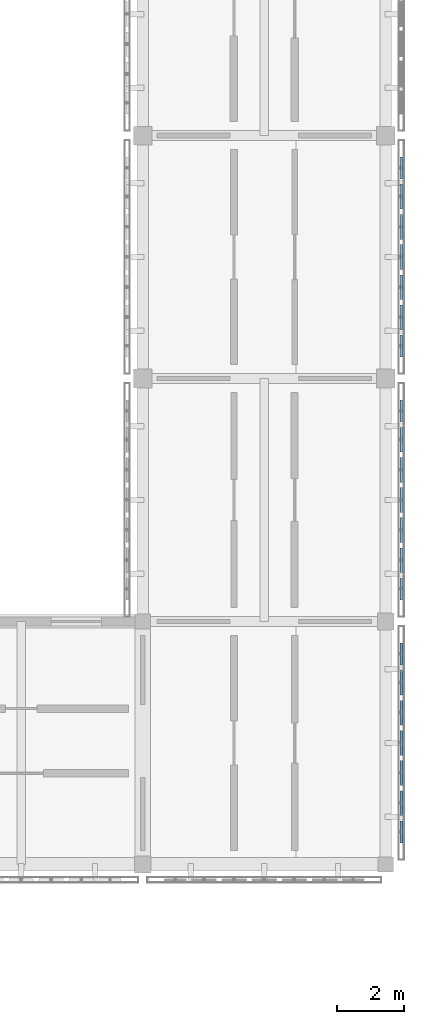
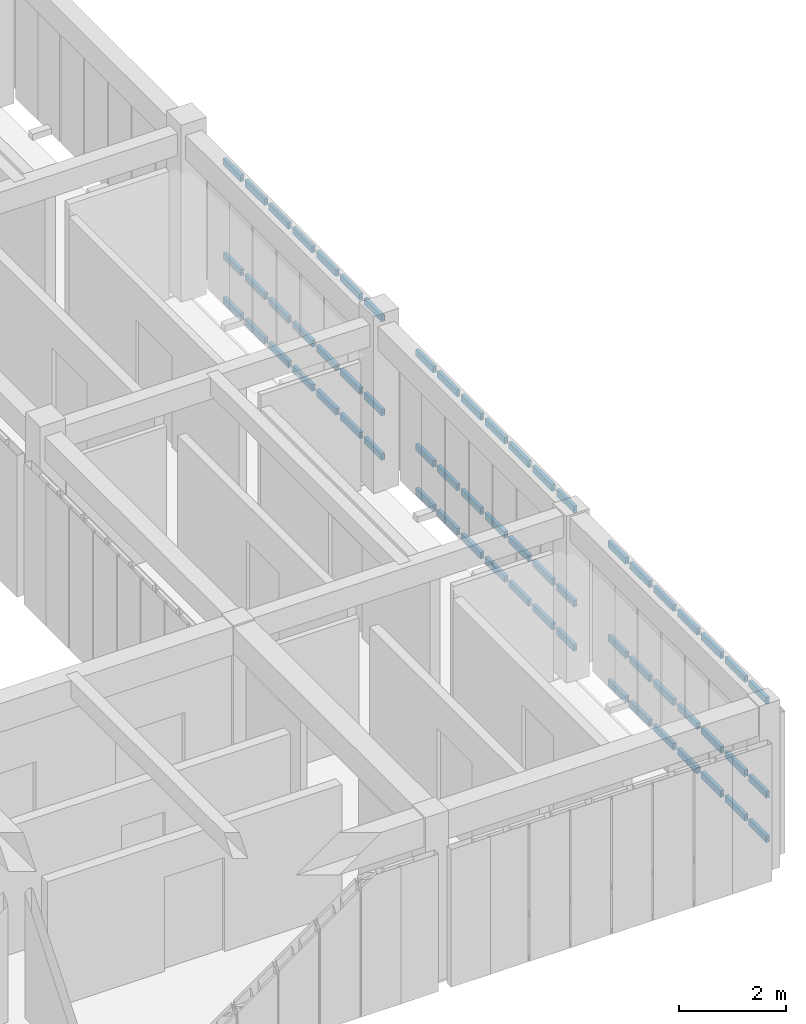
# One storey, part 28 of 67: 63 members, 3 elements without a shape of their own.
"""IFC4 building model written with IfcOpenShell, lengths in metres."""

from ifc_helpers import new_model, si_unit, direction, frame, origin, origin_2d, place, context, subcontext, project, spatial, hollow_rectangle, extrude, material, material_profile, profile_set, type_object, element, aggregate, save


model = new_model("IFC4")

# Units and contexts
model_context = context("Model", 3, precision=1e-05, world=origin(), true_north=direction((0.0, 1.0)))
body_context = subcontext(model_context, "Body", "Model", "MODEL_VIEW")
ifc_project = project(units=[si_unit("LENGTHUNIT", "METRE"), si_unit("AREAUNIT", "SQUARE_METRE"), si_unit("VOLUMEUNIT", "CUBIC_METRE"), si_unit("PLANEANGLEUNIT", "RADIAN"), si_unit("MASSUNIT", "GRAM", prefix="KILO")], contexts=[model_context])

# Site, building, storey
site_placement = place(None, origin())
site = spatial("IfcSite", under=ifc_project, at=site_placement, CompositionType="ELEMENT")
building_placement = place(site_placement, origin())
building = spatial("IfcBuilding", under=site, at=building_placement, Name="Aldebral Square Health Centre", CompositionType="ELEMENT")
storey_placement = place(building_placement, frame((0.0, 0.0, 13.5)))
storey = spatial("IfcBuildingStorey", under=building, at=storey_placement, Name="L03", CompositionType="ELEMENT", Elevation=13.5)

# Curtain wall, members
ifc_material_1 = material(Name="Aluminium and low-E solar glass", Category="aluminium")
curtain_wall_type = type_object("IfcCurtainWallType", Name="CW-FIN-SYS", PredefinedType="USERDEFINED", material=ifc_material_1)
curtain_wall_1_placement = place(storey_placement, origin())
curtain_wall_1 = element("IfcCurtainWall", 1, at=curtain_wall_1_placement, inside=storey, type_object=curtain_wall_type, Name="L03 V5 finned curtain wall L03-V5-22-08-E", ObjectType="SOLAR_CURTAIN_WALL", PredefinedType="USERDEFINED")
ifc_material_2 = material(Name="Anodised aluminium transom", Category="aluminium")
ifc_material_profile = material_profile(ifc_material_2, hollow_rectangle(XDim=0.074951171875, YDim=0.14990234375, WallThickness=0.00390625, at=origin_2d()), Name="CWT 75x150x4")
ifc_profile_set = profile_set([ifc_material_profile], Name="Anodised aluminium transom")
member_type = type_object("IfcMemberType", Name="CWT-STD", PredefinedType="USERDEFINED", material=ifc_profile_set)
member_1_placement = place(storey_placement, frame((166.06005859375, 58.239990234375, 0.03759765625), z_axis=(0.0, 1.0, 0.0), x_axis=(-1.0, 0.0, 0.0)))
member_1 = element("IfcMember", 2, at=member_1_placement, type_object=member_type, Name="CW1 transom 1.1", ObjectType="TRANSOM", PredefinedType="USERDEFINED", context=body_context, shape_type="SweptSolid", body=[
    extrude(hollow_rectangle(XDim=0.074951171875, YDim=0.14990234375, WallThickness=0.00390625, at=origin_2d()), origin(), (0.0, 0.0, 1.0), 0.6513671875),
])
member_2_placement = place(storey_placement, frame((166.06005859375, 58.239990234375, 1.050048828125), z_axis=(0.0, 1.0, 0.0), x_axis=(-1.0, 0.0, 0.0)))
member_2 = element("IfcMember", 3, at=member_2_placement, type_object=member_type, Name="CW1 transom 1.2", ObjectType="TRANSOM", PredefinedType="USERDEFINED", context=body_context, shape_type="SweptSolid", body=[
    extrude(hollow_rectangle(XDim=0.074951171875, YDim=0.14990234375, WallThickness=0.00390625, at=origin_2d()), origin(), (0.0, 0.0, 1.0), 0.6513671875),
])
member_3_placement = place(storey_placement, frame((166.06005859375, 58.239990234375, 3.202392578125), z_axis=(0.0, 1.0, 0.0), x_axis=(-1.0, 0.0, 0.0)))
member_3 = element("IfcMember", 4, at=member_3_placement, type_object=member_type, Name="CW1 transom 1.3", ObjectType="TRANSOM", PredefinedType="USERDEFINED", context=body_context, shape_type="SweptSolid", body=[
    extrude(hollow_rectangle(XDim=0.074951171875, YDim=0.14990234375, WallThickness=0.00390625, at=origin_2d()), origin(), (0.0, 0.0, 1.0), 0.6513671875),
])
member_4_placement = place(storey_placement, frame((166.06005859375, 59.051513671875, 0.03759765625), z_axis=(0.0, 1.0, 0.0), x_axis=(-1.0, 0.0, 0.0)))
member_4 = element("IfcMember", 5, at=member_4_placement, type_object=member_type, Name="CW1 transom 2.1", ObjectType="TRANSOM", PredefinedType="USERDEFINED", context=body_context, shape_type="SweptSolid", body=[
    extrude(hollow_rectangle(XDim=0.074951171875, YDim=0.14990234375, WallThickness=0.00390625, at=origin_2d()), origin(), (0.0, 0.0, 1.0), 0.7314453125),
])
member_5_placement = place(storey_placement, frame((166.06005859375, 59.051513671875, 1.050048828125), z_axis=(0.0, 1.0, 0.0), x_axis=(-1.0, 0.0, 0.0)))
member_5 = element("IfcMember", 6, at=member_5_placement, type_object=member_type, Name="CW1 transom 2.2", ObjectType="TRANSOM", PredefinedType="USERDEFINED", context=body_context, shape_type="SweptSolid", body=[
    extrude(hollow_rectangle(XDim=0.074951171875, YDim=0.14990234375, WallThickness=0.00390625, at=origin_2d()), origin(), (0.0, 0.0, 1.0), 0.7314453125),
])
member_6_placement = place(storey_placement, frame((166.06005859375, 59.051513671875, 3.202392578125), z_axis=(0.0, 1.0, 0.0), x_axis=(-1.0, 0.0, 0.0)))
member_6 = element("IfcMember", 7, at=member_6_placement, type_object=member_type, Name="CW1 transom 2.3", ObjectType="TRANSOM", PredefinedType="USERDEFINED", context=body_context, shape_type="SweptSolid", body=[
    extrude(hollow_rectangle(XDim=0.074951171875, YDim=0.14990234375, WallThickness=0.00390625, at=origin_2d()), origin(), (0.0, 0.0, 1.0), 0.7314453125),
])
member_7_placement = place(storey_placement, frame((166.06005859375, 59.94287109375, 0.03759765625), z_axis=(0.0, 1.0, 0.0), x_axis=(-1.0, 0.0, 0.0)))
member_7 = element("IfcMember", 8, at=member_7_placement, type_object=member_type, Name="CW1 transom 3.1", ObjectType="TRANSOM", PredefinedType="USERDEFINED", context=body_context, shape_type="SweptSolid", body=[
    extrude(hollow_rectangle(XDim=0.074951171875, YDim=0.14990234375, WallThickness=0.00390625, at=origin_2d()), origin(), (0.0, 0.0, 1.0), 0.7314453125),
])
member_8_placement = place(storey_placement, frame((166.06005859375, 59.94287109375, 1.050048828125), z_axis=(0.0, 1.0, 0.0), x_axis=(-1.0, 0.0, 0.0)))
member_8 = element("IfcMember", 9, at=member_8_placement, type_object=member_type, Name="CW1 transom 3.2", ObjectType="TRANSOM", PredefinedType="USERDEFINED", context=body_context, shape_type="SweptSolid", body=[
    extrude(hollow_rectangle(XDim=0.074951171875, YDim=0.14990234375, WallThickness=0.00390625, at=origin_2d()), origin(), (0.0, 0.0, 1.0), 0.7314453125),
])
member_9_placement = place(storey_placement, frame((166.06005859375, 59.94287109375, 3.202392578125), z_axis=(0.0, 1.0, 0.0), x_axis=(-1.0, 0.0, 0.0)))
member_9 = element("IfcMember", 10, at=member_9_placement, type_object=member_type, Name="CW1 transom 3.3", ObjectType="TRANSOM", PredefinedType="USERDEFINED", context=body_context, shape_type="SweptSolid", body=[
    extrude(hollow_rectangle(XDim=0.074951171875, YDim=0.14990234375, WallThickness=0.00390625, at=origin_2d()), origin(), (0.0, 0.0, 1.0), 0.7314453125),
])
member_10_placement = place(storey_placement, frame((166.06005859375, 60.834228515625, 0.03759765625), z_axis=(0.0, 1.0, 0.0), x_axis=(-1.0, 0.0, 0.0)))
member_10 = element("IfcMember", 11, at=member_10_placement, type_object=member_type, Name="CW1 transom 4.1", ObjectType="TRANSOM", PredefinedType="USERDEFINED", context=body_context, shape_type="SweptSolid", body=[
    extrude(hollow_rectangle(XDim=0.074951171875, YDim=0.14990234375, WallThickness=0.00390625, at=origin_2d()), origin(), (0.0, 0.0, 1.0), 0.7314453125),
])
member_11_placement = place(storey_placement, frame((166.06005859375, 60.834228515625, 1.050048828125), z_axis=(0.0, 1.0, 0.0), x_axis=(-1.0, 0.0, 0.0)))
member_11 = element("IfcMember", 12, at=member_11_placement, type_object=member_type, Name="CW1 transom 4.2", ObjectType="TRANSOM", PredefinedType="USERDEFINED", context=body_context, shape_type="SweptSolid", body=[
    extrude(hollow_rectangle(XDim=0.074951171875, YDim=0.14990234375, WallThickness=0.00390625, at=origin_2d()), origin(), (0.0, 0.0, 1.0), 0.7314453125),
])
member_12_placement = place(storey_placement, frame((166.06005859375, 60.834228515625, 3.202392578125), z_axis=(0.0, 1.0, 0.0), x_axis=(-1.0, 0.0, 0.0)))
member_12 = element("IfcMember", 13, at=member_12_placement, type_object=member_type, Name="CW1 transom 4.3", ObjectType="TRANSOM", PredefinedType="USERDEFINED", context=body_context, shape_type="SweptSolid", body=[
    extrude(hollow_rectangle(XDim=0.074951171875, YDim=0.14990234375, WallThickness=0.00390625, at=origin_2d()), origin(), (0.0, 0.0, 1.0), 0.7314453125),
])
member_13_placement = place(storey_placement, frame((166.06005859375, 61.725830078125, 0.03759765625), z_axis=(0.0, 1.0, 0.0), x_axis=(-1.0, 0.0, 0.0)))
member_13 = element("IfcMember", 14, at=member_13_placement, type_object=member_type, Name="CW1 transom 5.1", ObjectType="TRANSOM", PredefinedType="USERDEFINED", context=body_context, shape_type="SweptSolid", body=[
    extrude(hollow_rectangle(XDim=0.074951171875, YDim=0.14990234375, WallThickness=0.00390625, at=origin_2d()), origin(), (0.0, 0.0, 1.0), 0.731201171875),
])
member_14_placement = place(storey_placement, frame((166.06005859375, 61.725830078125, 1.050048828125), z_axis=(0.0, 1.0, 0.0), x_axis=(-1.0, 0.0, 0.0)))
member_14 = element("IfcMember", 15, at=member_14_placement, type_object=member_type, Name="CW1 transom 5.2", ObjectType="TRANSOM", PredefinedType="USERDEFINED", context=body_context, shape_type="SweptSolid", body=[
    extrude(hollow_rectangle(XDim=0.074951171875, YDim=0.14990234375, WallThickness=0.00390625, at=origin_2d()), origin(), (0.0, 0.0, 1.0), 0.731201171875),
])
member_15_placement = place(storey_placement, frame((166.06005859375, 61.725830078125, 3.202392578125), z_axis=(0.0, 1.0, 0.0), x_axis=(-1.0, 0.0, 0.0)))
member_15 = element("IfcMember", 16, at=member_15_placement, type_object=member_type, Name="CW1 transom 5.3", ObjectType="TRANSOM", PredefinedType="USERDEFINED", context=body_context, shape_type="SweptSolid", body=[
    extrude(hollow_rectangle(XDim=0.074951171875, YDim=0.14990234375, WallThickness=0.00390625, at=origin_2d()), origin(), (0.0, 0.0, 1.0), 0.731201171875),
])
member_16_placement = place(storey_placement, frame((166.06005859375, 62.6171875, 0.03759765625), z_axis=(0.0, 1.0, 0.0), x_axis=(-1.0, 0.0, 0.0)))
member_16 = element("IfcMember", 17, at=member_16_placement, type_object=member_type, Name="CW1 transom 6.1", ObjectType="TRANSOM", PredefinedType="USERDEFINED", context=body_context, shape_type="SweptSolid", body=[
    extrude(hollow_rectangle(XDim=0.074951171875, YDim=0.14990234375, WallThickness=0.00390625, at=origin_2d()), origin(), (0.0, 0.0, 1.0), 0.7314453125),
])
member_17_placement = place(storey_placement, frame((166.06005859375, 62.6171875, 1.050048828125), z_axis=(0.0, 1.0, 0.0), x_axis=(-1.0, 0.0, 0.0)))
member_17 = element("IfcMember", 18, at=member_17_placement, type_object=member_type, Name="CW1 transom 6.2", ObjectType="TRANSOM", PredefinedType="USERDEFINED", context=body_context, shape_type="SweptSolid", body=[
    extrude(hollow_rectangle(XDim=0.074951171875, YDim=0.14990234375, WallThickness=0.00390625, at=origin_2d()), origin(), (0.0, 0.0, 1.0), 0.7314453125),
])
member_18_placement = place(storey_placement, frame((166.06005859375, 62.6171875, 3.202392578125), z_axis=(0.0, 1.0, 0.0), x_axis=(-1.0, 0.0, 0.0)))
member_18 = element("IfcMember", 19, at=member_18_placement, type_object=member_type, Name="CW1 transom 6.3", ObjectType="TRANSOM", PredefinedType="USERDEFINED", context=body_context, shape_type="SweptSolid", body=[
    extrude(hollow_rectangle(XDim=0.074951171875, YDim=0.14990234375, WallThickness=0.00390625, at=origin_2d()), origin(), (0.0, 0.0, 1.0), 0.7314453125),
])
member_19_placement = place(storey_placement, frame((166.06005859375, 63.508544921875, 0.03759765625), z_axis=(0.0, 1.0, 0.0), x_axis=(-1.0, 0.0, 0.0)))
member_19 = element("IfcMember", 20, at=member_19_placement, type_object=member_type, Name="CW1 transom 7.1", ObjectType="TRANSOM", PredefinedType="USERDEFINED", context=body_context, shape_type="SweptSolid", body=[
    extrude(hollow_rectangle(XDim=0.074951171875, YDim=0.14990234375, WallThickness=0.00390625, at=origin_2d()), origin(), (0.0, 0.0, 1.0), 0.6513671875),
])
member_20_placement = place(storey_placement, frame((166.06005859375, 63.508544921875, 1.050048828125), z_axis=(0.0, 1.0, 0.0), x_axis=(-1.0, 0.0, 0.0)))
member_20 = element("IfcMember", 21, at=member_20_placement, type_object=member_type, Name="CW1 transom 7.2", ObjectType="TRANSOM", PredefinedType="USERDEFINED", context=body_context, shape_type="SweptSolid", body=[
    extrude(hollow_rectangle(XDim=0.074951171875, YDim=0.14990234375, WallThickness=0.00390625, at=origin_2d()), origin(), (0.0, 0.0, 1.0), 0.6513671875),
])
member_21_placement = place(storey_placement, frame((166.06005859375, 63.508544921875, 3.202392578125), z_axis=(0.0, 1.0, 0.0), x_axis=(-1.0, 0.0, 0.0)))
member_21 = element("IfcMember", 22, at=member_21_placement, type_object=member_type, Name="CW1 transom 7.3", ObjectType="TRANSOM", PredefinedType="USERDEFINED", context=body_context, shape_type="SweptSolid", body=[
    extrude(hollow_rectangle(XDim=0.074951171875, YDim=0.14990234375, WallThickness=0.00390625, at=origin_2d()), origin(), (0.0, 0.0, 1.0), 0.6513671875),
])
aggregate(curtain_wall_1, [member_1, member_2, member_3, member_4, member_5, member_6, member_7, member_8, member_9, member_10, member_11, member_12, member_13, member_14, member_15, member_16, member_17, member_18, member_19, member_20, member_21])

curtain_wall_2_placement = place(storey_placement, origin())
curtain_wall_2 = element("IfcCurtainWall", 23, at=curtain_wall_2_placement, inside=storey, type_object=curtain_wall_type, Name="L03 V5 finned curtain wall L03-V5-22-09-E", ObjectType="SOLAR_CURTAIN_WALL", PredefinedType="USERDEFINED")
member_22_placement = place(storey_placement, frame((166.06005859375, 65.43994140625, 0.03759765625), z_axis=(0.0, 1.0, 0.0), x_axis=(-1.0, 0.0, 0.0)))
member_22 = element("IfcMember", 24, at=member_22_placement, type_object=member_type, Name="CW1 transom 1.1", ObjectType="TRANSOM", PredefinedType="USERDEFINED", context=body_context, shape_type="SweptSolid", body=[
    extrude(hollow_rectangle(XDim=0.074951171875, YDim=0.14990234375, WallThickness=0.00390625, at=origin_2d()), origin(), (0.0, 0.0, 1.0), 0.6513671875),
])
member_23_placement = place(storey_placement, frame((166.06005859375, 65.43994140625, 1.050048828125), z_axis=(0.0, 1.0, 0.0), x_axis=(-1.0, 0.0, 0.0)))
member_23 = element("IfcMember", 25, at=member_23_placement, type_object=member_type, Name="CW1 transom 1.2", ObjectType="TRANSOM", PredefinedType="USERDEFINED", context=body_context, shape_type="SweptSolid", body=[
    extrude(hollow_rectangle(XDim=0.074951171875, YDim=0.14990234375, WallThickness=0.00390625, at=origin_2d()), origin(), (0.0, 0.0, 1.0), 0.6513671875),
])
member_24_placement = place(storey_placement, frame((166.06005859375, 65.43994140625, 3.202392578125), z_axis=(0.0, 1.0, 0.0), x_axis=(-1.0, 0.0, 0.0)))
member_24 = element("IfcMember", 26, at=member_24_placement, type_object=member_type, Name="CW1 transom 1.3", ObjectType="TRANSOM", PredefinedType="USERDEFINED", context=body_context, shape_type="SweptSolid", body=[
    extrude(hollow_rectangle(XDim=0.074951171875, YDim=0.14990234375, WallThickness=0.00390625, at=origin_2d()), origin(), (0.0, 0.0, 1.0), 0.6513671875),
])
member_25_placement = place(storey_placement, frame((166.06005859375, 66.25146484375, 0.03759765625), z_axis=(0.0, 1.0, 0.0), x_axis=(-1.0, 0.0, 0.0)))
member_25 = element("IfcMember", 27, at=member_25_placement, type_object=member_type, Name="CW1 transom 2.1", ObjectType="TRANSOM", PredefinedType="USERDEFINED", context=body_context, shape_type="SweptSolid", body=[
    extrude(hollow_rectangle(XDim=0.074951171875, YDim=0.14990234375, WallThickness=0.00390625, at=origin_2d()), origin(), (0.0, 0.0, 1.0), 0.7314453125),
])
member_26_placement = place(storey_placement, frame((166.06005859375, 66.25146484375, 1.050048828125), z_axis=(0.0, 1.0, 0.0), x_axis=(-1.0, 0.0, 0.0)))
member_26 = element("IfcMember", 28, at=member_26_placement, type_object=member_type, Name="CW1 transom 2.2", ObjectType="TRANSOM", PredefinedType="USERDEFINED", context=body_context, shape_type="SweptSolid", body=[
    extrude(hollow_rectangle(XDim=0.074951171875, YDim=0.14990234375, WallThickness=0.00390625, at=origin_2d()), origin(), (0.0, 0.0, 1.0), 0.7314453125),
])
member_27_placement = place(storey_placement, frame((166.06005859375, 66.25146484375, 3.202392578125), z_axis=(0.0, 1.0, 0.0), x_axis=(-1.0, 0.0, 0.0)))
member_27 = element("IfcMember", 29, at=member_27_placement, type_object=member_type, Name="CW1 transom 2.3", ObjectType="TRANSOM", PredefinedType="USERDEFINED", context=body_context, shape_type="SweptSolid", body=[
    extrude(hollow_rectangle(XDim=0.074951171875, YDim=0.14990234375, WallThickness=0.00390625, at=origin_2d()), origin(), (0.0, 0.0, 1.0), 0.7314453125),
])
member_28_placement = place(storey_placement, frame((166.06005859375, 67.142822265625, 0.03759765625), z_axis=(0.0, 1.0, 0.0), x_axis=(-1.0, 0.0, 0.0)))
member_28 = element("IfcMember", 30, at=member_28_placement, type_object=member_type, Name="CW1 transom 3.1", ObjectType="TRANSOM", PredefinedType="USERDEFINED", context=body_context, shape_type="SweptSolid", body=[
    extrude(hollow_rectangle(XDim=0.074951171875, YDim=0.14990234375, WallThickness=0.00390625, at=origin_2d()), origin(), (0.0, 0.0, 1.0), 0.7314453125),
])
member_29_placement = place(storey_placement, frame((166.06005859375, 67.142822265625, 1.050048828125), z_axis=(0.0, 1.0, 0.0), x_axis=(-1.0, 0.0, 0.0)))
member_29 = element("IfcMember", 31, at=member_29_placement, type_object=member_type, Name="CW1 transom 3.2", ObjectType="TRANSOM", PredefinedType="USERDEFINED", context=body_context, shape_type="SweptSolid", body=[
    extrude(hollow_rectangle(XDim=0.074951171875, YDim=0.14990234375, WallThickness=0.00390625, at=origin_2d()), origin(), (0.0, 0.0, 1.0), 0.7314453125),
])
member_30_placement = place(storey_placement, frame((166.06005859375, 67.142822265625, 3.202392578125), z_axis=(0.0, 1.0, 0.0), x_axis=(-1.0, 0.0, 0.0)))
member_30 = element("IfcMember", 32, at=member_30_placement, type_object=member_type, Name="CW1 transom 3.3", ObjectType="TRANSOM", PredefinedType="USERDEFINED", context=body_context, shape_type="SweptSolid", body=[
    extrude(hollow_rectangle(XDim=0.074951171875, YDim=0.14990234375, WallThickness=0.00390625, at=origin_2d()), origin(), (0.0, 0.0, 1.0), 0.7314453125),
])
member_31_placement = place(storey_placement, frame((166.06005859375, 68.0341796875, 0.03759765625), z_axis=(0.0, 1.0, 0.0), x_axis=(-1.0, 0.0, 0.0)))
member_31 = element("IfcMember", 33, at=member_31_placement, type_object=member_type, Name="CW1 transom 4.1", ObjectType="TRANSOM", PredefinedType="USERDEFINED", context=body_context, shape_type="SweptSolid", body=[
    extrude(hollow_rectangle(XDim=0.074951171875, YDim=0.14990234375, WallThickness=0.00390625, at=origin_2d()), origin(), (0.0, 0.0, 1.0), 0.7314453125),
])
member_32_placement = place(storey_placement, frame((166.06005859375, 68.0341796875, 1.050048828125), z_axis=(0.0, 1.0, 0.0), x_axis=(-1.0, 0.0, 0.0)))
member_32 = element("IfcMember", 34, at=member_32_placement, type_object=member_type, Name="CW1 transom 4.2", ObjectType="TRANSOM", PredefinedType="USERDEFINED", context=body_context, shape_type="SweptSolid", body=[
    extrude(hollow_rectangle(XDim=0.074951171875, YDim=0.14990234375, WallThickness=0.00390625, at=origin_2d()), origin(), (0.0, 0.0, 1.0), 0.7314453125),
])
member_33_placement = place(storey_placement, frame((166.06005859375, 68.0341796875, 3.202392578125), z_axis=(0.0, 1.0, 0.0), x_axis=(-1.0, 0.0, 0.0)))
member_33 = element("IfcMember", 35, at=member_33_placement, type_object=member_type, Name="CW1 transom 4.3", ObjectType="TRANSOM", PredefinedType="USERDEFINED", context=body_context, shape_type="SweptSolid", body=[
    extrude(hollow_rectangle(XDim=0.074951171875, YDim=0.14990234375, WallThickness=0.00390625, at=origin_2d()), origin(), (0.0, 0.0, 1.0), 0.7314453125),
])
member_34_placement = place(storey_placement, frame((166.06005859375, 68.92578125, 0.03759765625), z_axis=(0.0, 1.0, 0.0), x_axis=(-1.0, 0.0, 0.0)))
member_34 = element("IfcMember", 36, at=member_34_placement, type_object=member_type, Name="CW1 transom 5.1", ObjectType="TRANSOM", PredefinedType="USERDEFINED", context=body_context, shape_type="SweptSolid", body=[
    extrude(hollow_rectangle(XDim=0.074951171875, YDim=0.14990234375, WallThickness=0.00390625, at=origin_2d()), origin(), (0.0, 0.0, 1.0), 0.7314453125),
])
member_35_placement = place(storey_placement, frame((166.06005859375, 68.92578125, 1.050048828125), z_axis=(0.0, 1.0, 0.0), x_axis=(-1.0, 0.0, 0.0)))
member_35 = element("IfcMember", 37, at=member_35_placement, type_object=member_type, Name="CW1 transom 5.2", ObjectType="TRANSOM", PredefinedType="USERDEFINED", context=body_context, shape_type="SweptSolid", body=[
    extrude(hollow_rectangle(XDim=0.074951171875, YDim=0.14990234375, WallThickness=0.00390625, at=origin_2d()), origin(), (0.0, 0.0, 1.0), 0.7314453125),
])
member_36_placement = place(storey_placement, frame((166.06005859375, 68.92578125, 3.202392578125), z_axis=(0.0, 1.0, 0.0), x_axis=(-1.0, 0.0, 0.0)))
member_36 = element("IfcMember", 38, at=member_36_placement, type_object=member_type, Name="CW1 transom 5.3", ObjectType="TRANSOM", PredefinedType="USERDEFINED", context=body_context, shape_type="SweptSolid", body=[
    extrude(hollow_rectangle(XDim=0.074951171875, YDim=0.14990234375, WallThickness=0.00390625, at=origin_2d()), origin(), (0.0, 0.0, 1.0), 0.7314453125),
])
member_37_placement = place(storey_placement, frame((166.06005859375, 69.817138671875, 0.03759765625), z_axis=(0.0, 1.0, 0.0), x_axis=(-1.0, 0.0, 0.0)))
member_37 = element("IfcMember", 39, at=member_37_placement, type_object=member_type, Name="CW1 transom 6.1", ObjectType="TRANSOM", PredefinedType="USERDEFINED", context=body_context, shape_type="SweptSolid", body=[
    extrude(hollow_rectangle(XDim=0.074951171875, YDim=0.14990234375, WallThickness=0.00390625, at=origin_2d()), origin(), (0.0, 0.0, 1.0), 0.7314453125),
])
member_38_placement = place(storey_placement, frame((166.06005859375, 69.817138671875, 1.050048828125), z_axis=(0.0, 1.0, 0.0), x_axis=(-1.0, 0.0, 0.0)))
member_38 = element("IfcMember", 40, at=member_38_placement, type_object=member_type, Name="CW1 transom 6.2", ObjectType="TRANSOM", PredefinedType="USERDEFINED", context=body_context, shape_type="SweptSolid", body=[
    extrude(hollow_rectangle(XDim=0.074951171875, YDim=0.14990234375, WallThickness=0.00390625, at=origin_2d()), origin(), (0.0, 0.0, 1.0), 0.7314453125),
])
member_39_placement = place(storey_placement, frame((166.06005859375, 69.817138671875, 3.202392578125), z_axis=(0.0, 1.0, 0.0), x_axis=(-1.0, 0.0, 0.0)))
member_39 = element("IfcMember", 41, at=member_39_placement, type_object=member_type, Name="CW1 transom 6.3", ObjectType="TRANSOM", PredefinedType="USERDEFINED", context=body_context, shape_type="SweptSolid", body=[
    extrude(hollow_rectangle(XDim=0.074951171875, YDim=0.14990234375, WallThickness=0.00390625, at=origin_2d()), origin(), (0.0, 0.0, 1.0), 0.7314453125),
])
member_40_placement = place(storey_placement, frame((166.06005859375, 70.70849609375, 0.03759765625), z_axis=(0.0, 1.0, 0.0), x_axis=(-1.0, 0.0, 0.0)))
member_40 = element("IfcMember", 42, at=member_40_placement, type_object=member_type, Name="CW1 transom 7.1", ObjectType="TRANSOM", PredefinedType="USERDEFINED", context=body_context, shape_type="SweptSolid", body=[
    extrude(hollow_rectangle(XDim=0.074951171875, YDim=0.14990234375, WallThickness=0.00390625, at=origin_2d()), origin(), (0.0, 0.0, 1.0), 0.651611328125),
])
member_41_placement = place(storey_placement, frame((166.06005859375, 70.70849609375, 1.050048828125), z_axis=(0.0, 1.0, 0.0), x_axis=(-1.0, 0.0, 0.0)))
member_41 = element("IfcMember", 43, at=member_41_placement, type_object=member_type, Name="CW1 transom 7.2", ObjectType="TRANSOM", PredefinedType="USERDEFINED", context=body_context, shape_type="SweptSolid", body=[
    extrude(hollow_rectangle(XDim=0.074951171875, YDim=0.14990234375, WallThickness=0.00390625, at=origin_2d()), origin(), (0.0, 0.0, 1.0), 0.651611328125),
])
member_42_placement = place(storey_placement, frame((166.06005859375, 70.70849609375, 3.202392578125), z_axis=(0.0, 1.0, 0.0), x_axis=(-1.0, 0.0, 0.0)))
member_42 = element("IfcMember", 44, at=member_42_placement, type_object=member_type, Name="CW1 transom 7.3", ObjectType="TRANSOM", PredefinedType="USERDEFINED", context=body_context, shape_type="SweptSolid", body=[
    extrude(hollow_rectangle(XDim=0.074951171875, YDim=0.14990234375, WallThickness=0.00390625, at=origin_2d()), origin(), (0.0, 0.0, 1.0), 0.651611328125),
])
aggregate(curtain_wall_2, [member_22, member_23, member_24, member_25, member_26, member_27, member_28, member_29, member_30, member_31, member_32, member_33, member_34, member_35, member_36, member_37, member_38, member_39, member_40, member_41, member_42])

curtain_wall_3_placement = place(storey_placement, origin())
curtain_wall_3 = element("IfcCurtainWall", 45, at=curtain_wall_3_placement, inside=storey, type_object=curtain_wall_type, Name="L03 V5 finned curtain wall L03-V5-22-10-E", ObjectType="SOLAR_CURTAIN_WALL", PredefinedType="USERDEFINED")
member_43_placement = place(storey_placement, frame((166.06005859375, 72.639892578125, 0.03759765625), z_axis=(0.0, 1.0, 0.0), x_axis=(-1.0, 0.0, 0.0)))
member_43 = element("IfcMember", 46, at=member_43_placement, type_object=member_type, Name="CW1 transom 1.1", ObjectType="TRANSOM", PredefinedType="USERDEFINED", context=body_context, shape_type="SweptSolid", body=[
    extrude(hollow_rectangle(XDim=0.074951171875, YDim=0.14990234375, WallThickness=0.00390625, at=origin_2d()), origin(), (0.0, 0.0, 1.0), 0.651611328125),
])
member_44_placement = place(storey_placement, frame((166.06005859375, 72.639892578125, 1.050048828125), z_axis=(0.0, 1.0, 0.0), x_axis=(-1.0, 0.0, 0.0)))
member_44 = element("IfcMember", 47, at=member_44_placement, type_object=member_type, Name="CW1 transom 1.2", ObjectType="TRANSOM", PredefinedType="USERDEFINED", context=body_context, shape_type="SweptSolid", body=[
    extrude(hollow_rectangle(XDim=0.074951171875, YDim=0.14990234375, WallThickness=0.00390625, at=origin_2d()), origin(), (0.0, 0.0, 1.0), 0.651611328125),
])
member_45_placement = place(storey_placement, frame((166.06005859375, 72.639892578125, 3.202392578125), z_axis=(0.0, 1.0, 0.0), x_axis=(-1.0, 0.0, 0.0)))
member_45 = element("IfcMember", 48, at=member_45_placement, type_object=member_type, Name="CW1 transom 1.3", ObjectType="TRANSOM", PredefinedType="USERDEFINED", context=body_context, shape_type="SweptSolid", body=[
    extrude(hollow_rectangle(XDim=0.074951171875, YDim=0.14990234375, WallThickness=0.00390625, at=origin_2d()), origin(), (0.0, 0.0, 1.0), 0.651611328125),
])
member_46_placement = place(storey_placement, frame((166.06005859375, 73.451416015625, 0.03759765625), z_axis=(0.0, 1.0, 0.0), x_axis=(-1.0, 0.0, 0.0)))
member_46 = element("IfcMember", 49, at=member_46_placement, type_object=member_type, Name="CW1 transom 2.1", ObjectType="TRANSOM", PredefinedType="USERDEFINED", context=body_context, shape_type="SweptSolid", body=[
    extrude(hollow_rectangle(XDim=0.074951171875, YDim=0.14990234375, WallThickness=0.00390625, at=origin_2d()), origin(), (0.0, 0.0, 1.0), 0.7314453125),
])
member_47_placement = place(storey_placement, frame((166.06005859375, 73.451416015625, 1.050048828125), z_axis=(0.0, 1.0, 0.0), x_axis=(-1.0, 0.0, 0.0)))
member_47 = element("IfcMember", 50, at=member_47_placement, type_object=member_type, Name="CW1 transom 2.2", ObjectType="TRANSOM", PredefinedType="USERDEFINED", context=body_context, shape_type="SweptSolid", body=[
    extrude(hollow_rectangle(XDim=0.074951171875, YDim=0.14990234375, WallThickness=0.00390625, at=origin_2d()), origin(), (0.0, 0.0, 1.0), 0.7314453125),
])
member_48_placement = place(storey_placement, frame((166.06005859375, 73.451416015625, 3.202392578125), z_axis=(0.0, 1.0, 0.0), x_axis=(-1.0, 0.0, 0.0)))
member_48 = element("IfcMember", 51, at=member_48_placement, type_object=member_type, Name="CW1 transom 2.3", ObjectType="TRANSOM", PredefinedType="USERDEFINED", context=body_context, shape_type="SweptSolid", body=[
    extrude(hollow_rectangle(XDim=0.074951171875, YDim=0.14990234375, WallThickness=0.00390625, at=origin_2d()), origin(), (0.0, 0.0, 1.0), 0.7314453125),
])
member_49_placement = place(storey_placement, frame((166.06005859375, 74.3427734375, 0.03759765625), z_axis=(0.0, 1.0, 0.0), x_axis=(-1.0, 0.0, 0.0)))
member_49 = element("IfcMember", 52, at=member_49_placement, type_object=member_type, Name="CW1 transom 3.1", ObjectType="TRANSOM", PredefinedType="USERDEFINED", context=body_context, shape_type="SweptSolid", body=[
    extrude(hollow_rectangle(XDim=0.074951171875, YDim=0.14990234375, WallThickness=0.00390625, at=origin_2d()), origin(), (0.0, 0.0, 1.0), 0.7314453125),
])
member_50_placement = place(storey_placement, frame((166.06005859375, 74.3427734375, 1.050048828125), z_axis=(0.0, 1.0, 0.0), x_axis=(-1.0, 0.0, 0.0)))
member_50 = element("IfcMember", 53, at=member_50_placement, type_object=member_type, Name="CW1 transom 3.2", ObjectType="TRANSOM", PredefinedType="USERDEFINED", context=body_context, shape_type="SweptSolid", body=[
    extrude(hollow_rectangle(XDim=0.074951171875, YDim=0.14990234375, WallThickness=0.00390625, at=origin_2d()), origin(), (0.0, 0.0, 1.0), 0.7314453125),
])
member_51_placement = place(storey_placement, frame((166.06005859375, 74.3427734375, 3.202392578125), z_axis=(0.0, 1.0, 0.0), x_axis=(-1.0, 0.0, 0.0)))
member_51 = element("IfcMember", 54, at=member_51_placement, type_object=member_type, Name="CW1 transom 3.3", ObjectType="TRANSOM", PredefinedType="USERDEFINED", context=body_context, shape_type="SweptSolid", body=[
    extrude(hollow_rectangle(XDim=0.074951171875, YDim=0.14990234375, WallThickness=0.00390625, at=origin_2d()), origin(), (0.0, 0.0, 1.0), 0.7314453125),
])
member_52_placement = place(storey_placement, frame((166.06005859375, 75.234375, 0.03759765625), z_axis=(0.0, 1.0, 0.0), x_axis=(-1.0, 0.0, 0.0)))
member_52 = element("IfcMember", 55, at=member_52_placement, type_object=member_type, Name="CW1 transom 4.1", ObjectType="TRANSOM", PredefinedType="USERDEFINED", context=body_context, shape_type="SweptSolid", body=[
    extrude(hollow_rectangle(XDim=0.074951171875, YDim=0.14990234375, WallThickness=0.00390625, at=origin_2d()), origin(), (0.0, 0.0, 1.0), 0.7314453125),
])
member_53_placement = place(storey_placement, frame((166.06005859375, 75.234375, 1.050048828125), z_axis=(0.0, 1.0, 0.0), x_axis=(-1.0, 0.0, 0.0)))
member_53 = element("IfcMember", 56, at=member_53_placement, type_object=member_type, Name="CW1 transom 4.2", ObjectType="TRANSOM", PredefinedType="USERDEFINED", context=body_context, shape_type="SweptSolid", body=[
    extrude(hollow_rectangle(XDim=0.074951171875, YDim=0.14990234375, WallThickness=0.00390625, at=origin_2d()), origin(), (0.0, 0.0, 1.0), 0.7314453125),
])
member_54_placement = place(storey_placement, frame((166.06005859375, 75.234375, 3.202392578125), z_axis=(0.0, 1.0, 0.0), x_axis=(-1.0, 0.0, 0.0)))
member_54 = element("IfcMember", 57, at=member_54_placement, type_object=member_type, Name="CW1 transom 4.3", ObjectType="TRANSOM", PredefinedType="USERDEFINED", context=body_context, shape_type="SweptSolid", body=[
    extrude(hollow_rectangle(XDim=0.074951171875, YDim=0.14990234375, WallThickness=0.00390625, at=origin_2d()), origin(), (0.0, 0.0, 1.0), 0.7314453125),
])
member_55_placement = place(storey_placement, frame((166.06005859375, 76.125732421875, 0.03759765625), z_axis=(0.0, 1.0, 0.0), x_axis=(-1.0, 0.0, 0.0)))
member_55 = element("IfcMember", 58, at=member_55_placement, type_object=member_type, Name="CW1 transom 5.1", ObjectType="TRANSOM", PredefinedType="USERDEFINED", context=body_context, shape_type="SweptSolid", body=[
    extrude(hollow_rectangle(XDim=0.074951171875, YDim=0.14990234375, WallThickness=0.00390625, at=origin_2d()), origin(), (0.0, 0.0, 1.0), 0.7314453125),
])
member_56_placement = place(storey_placement, frame((166.06005859375, 76.125732421875, 1.050048828125), z_axis=(0.0, 1.0, 0.0), x_axis=(-1.0, 0.0, 0.0)))
member_56 = element("IfcMember", 59, at=member_56_placement, type_object=member_type, Name="CW1 transom 5.2", ObjectType="TRANSOM", PredefinedType="USERDEFINED", context=body_context, shape_type="SweptSolid", body=[
    extrude(hollow_rectangle(XDim=0.074951171875, YDim=0.14990234375, WallThickness=0.00390625, at=origin_2d()), origin(), (0.0, 0.0, 1.0), 0.7314453125),
])
member_57_placement = place(storey_placement, frame((166.06005859375, 76.125732421875, 3.202392578125), z_axis=(0.0, 1.0, 0.0), x_axis=(-1.0, 0.0, 0.0)))
member_57 = element("IfcMember", 60, at=member_57_placement, type_object=member_type, Name="CW1 transom 5.3", ObjectType="TRANSOM", PredefinedType="USERDEFINED", context=body_context, shape_type="SweptSolid", body=[
    extrude(hollow_rectangle(XDim=0.074951171875, YDim=0.14990234375, WallThickness=0.00390625, at=origin_2d()), origin(), (0.0, 0.0, 1.0), 0.7314453125),
])
member_58_placement = place(storey_placement, frame((166.06005859375, 77.01708984375, 0.03759765625), z_axis=(0.0, 1.0, 0.0), x_axis=(-1.0, 0.0, 0.0)))
member_58 = element("IfcMember", 61, at=member_58_placement, type_object=member_type, Name="CW1 transom 6.1", ObjectType="TRANSOM", PredefinedType="USERDEFINED", context=body_context, shape_type="SweptSolid", body=[
    extrude(hollow_rectangle(XDim=0.074951171875, YDim=0.14990234375, WallThickness=0.00390625, at=origin_2d()), origin(), (0.0, 0.0, 1.0), 0.7314453125),
])
member_59_placement = place(storey_placement, frame((166.06005859375, 77.01708984375, 1.050048828125), z_axis=(0.0, 1.0, 0.0), x_axis=(-1.0, 0.0, 0.0)))
member_59 = element("IfcMember", 62, at=member_59_placement, type_object=member_type, Name="CW1 transom 6.2", ObjectType="TRANSOM", PredefinedType="USERDEFINED", context=body_context, shape_type="SweptSolid", body=[
    extrude(hollow_rectangle(XDim=0.074951171875, YDim=0.14990234375, WallThickness=0.00390625, at=origin_2d()), origin(), (0.0, 0.0, 1.0), 0.7314453125),
])
member_60_placement = place(storey_placement, frame((166.06005859375, 77.01708984375, 3.202392578125), z_axis=(0.0, 1.0, 0.0), x_axis=(-1.0, 0.0, 0.0)))
member_60 = element("IfcMember", 63, at=member_60_placement, type_object=member_type, Name="CW1 transom 6.3", ObjectType="TRANSOM", PredefinedType="USERDEFINED", context=body_context, shape_type="SweptSolid", body=[
    extrude(hollow_rectangle(XDim=0.074951171875, YDim=0.14990234375, WallThickness=0.00390625, at=origin_2d()), origin(), (0.0, 0.0, 1.0), 0.7314453125),
])
member_61_placement = place(storey_placement, frame((166.06005859375, 77.90869140625, 0.03759765625), z_axis=(0.0, 1.0, 0.0), x_axis=(-1.0, 0.0, 0.0)))
member_61 = element("IfcMember", 64, at=member_61_placement, type_object=member_type, Name="CW1 transom 7.1", ObjectType="TRANSOM", PredefinedType="USERDEFINED", context=body_context, shape_type="SweptSolid", body=[
    extrude(hollow_rectangle(XDim=0.074951171875, YDim=0.14990234375, WallThickness=0.00390625, at=origin_2d()), origin(), (0.0, 0.0, 1.0), 0.6513671875),
])
member_62_placement = place(storey_placement, frame((166.06005859375, 77.90869140625, 1.050048828125), z_axis=(0.0, 1.0, 0.0), x_axis=(-1.0, 0.0, 0.0)))
member_62 = element("IfcMember", 65, at=member_62_placement, type_object=member_type, Name="CW1 transom 7.2", ObjectType="TRANSOM", PredefinedType="USERDEFINED", context=body_context, shape_type="SweptSolid", body=[
    extrude(hollow_rectangle(XDim=0.074951171875, YDim=0.14990234375, WallThickness=0.00390625, at=origin_2d()), origin(), (0.0, 0.0, 1.0), 0.6513671875),
])
member_63_placement = place(storey_placement, frame((166.06005859375, 77.90869140625, 3.202392578125), z_axis=(0.0, 1.0, 0.0), x_axis=(-1.0, 0.0, 0.0)))
member_63 = element("IfcMember", 66, at=member_63_placement, type_object=member_type, Name="CW1 transom 7.3", ObjectType="TRANSOM", PredefinedType="USERDEFINED", context=body_context, shape_type="SweptSolid", body=[
    extrude(hollow_rectangle(XDim=0.074951171875, YDim=0.14990234375, WallThickness=0.00390625, at=origin_2d()), origin(), (0.0, 0.0, 1.0), 0.6513671875),
])
aggregate(curtain_wall_3, [member_43, member_44, member_45, member_46, member_47, member_48, member_49, member_50, member_51, member_52, member_53, member_54, member_55, member_56, member_57, member_58, member_59, member_60, member_61, member_62, member_63])

save(model, "model.ifc")
